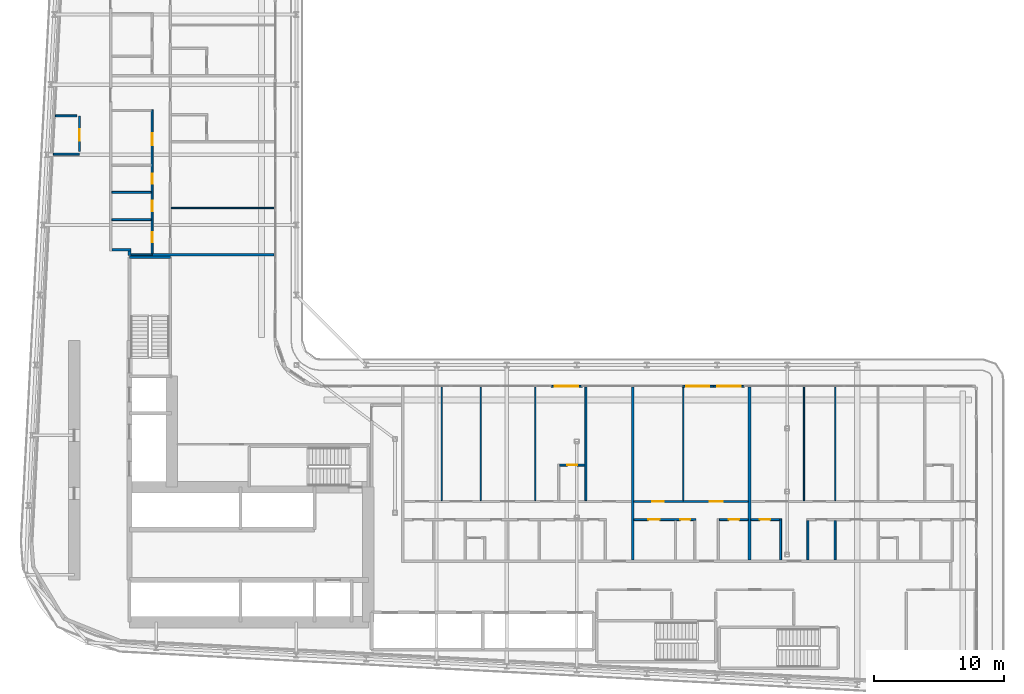
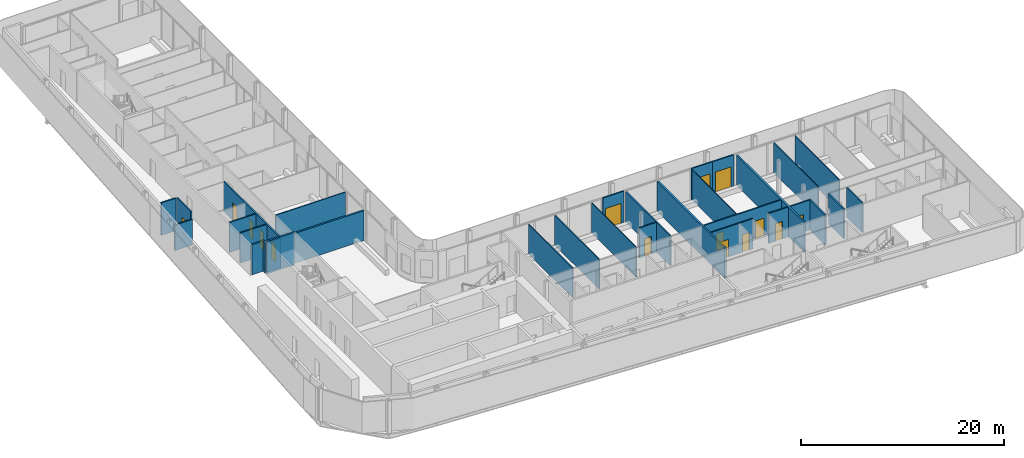
# One storey, part 16 of 28: 32 walls, 15 doors, 15 openings.
"""IFC4 building model written with IfcOpenShell, lengths in metres."""

import ifcopenshell
import ifcopenshell.guid

model = None  # the IFC model being written
_history = None  # IfcOwnerHistory: only IFC2X3 demands one
_inside = {}  # id of a spatial element -> (the spatial element, [elements in it])
_under = {}  # id of a project, library or spatial element -> (it, [spatial elements below it])
_declared = {}  # id of a project -> (the project, [libraries it declares])
_typed = {}  # id of a type object -> (the type object, [elements of that type])
_made_of = {}  # id of a material, layer set ... -> (it, [elements and type objects made of it])


def new_model(schema):
    """Start an empty IFC model of exactly this schema.

    Asked for "IFC4X3", IfcOpenShell would pick the latest addendum, in which some entities
    have other attributes; the version numbers below select the first issue.
    IFC2X3 requires an IfcOwnerHistory on every rooted entity: one is made here for all.
    """
    global model, _history
    if schema == "IFC4X3":
        model = ifcopenshell.file(schema_version=(4, 3, 0, 0))
    else:
        model = ifcopenshell.file(schema=schema)
    _inside.clear()
    _under.clear()
    _declared.clear()
    _typed.clear()
    _made_of.clear()
    _history = None
    if model.schema == "IFC2X3":
        org = make("IfcOrganization", Name="unknown")
        user = make(
            "IfcPersonAndOrganization",
            ThePerson=make("IfcPerson", FamilyName="unknown"),
            TheOrganization=org,
        )
        app = make(
            "IfcApplication",
            ApplicationDeveloper=org,
            Version="unknown",
            ApplicationFullName="unknown",
            ApplicationIdentifier="unknown",
        )
        _history = make(
            "IfcOwnerHistory",
            OwningUser=user,
            OwningApplication=app,
            ChangeAction="ADDED",
            CreationDate=0,
        )
    return model


def make(cls, **values):
    """One entity of the class cls with the attributes given. An attribute that is None is left unset."""
    return model.create_entity(
        cls, **{name: value for name, value in values.items() if value is not None}
    )


def rooted(cls, **values):
    """An entity with a GlobalId (a new one), such as an element, a storey or a relation."""
    return make(cls, GlobalId=ifcopenshell.guid.new(), OwnerHistory=_history, **values)


def si_unit(unit_type, name, prefix=None):
    """IfcSIUnit, for example si_unit("LENGTHUNIT", "METRE", prefix="MILLI")."""
    return make("IfcSIUnit", UnitType=unit_type, Prefix=prefix, Name=name)


def assignment(units):
    """IfcUnitAssignment: the units of a project."""
    return None if units is None else make("IfcUnitAssignment", Units=units)


def point(xyz):
    """IfcCartesianPoint."""
    return None if xyz is None else make("IfcCartesianPoint", Coordinates=xyz)


def direction(xyz):
    """IfcDirection."""
    return None if xyz is None else make("IfcDirection", DirectionRatios=xyz)


def frame(location, z_axis=None, x_axis=None):
    """IfcAxis2Placement3D, a coordinate frame: its origin and axes. An axis left out is left unset."""
    return make(
        "IfcAxis2Placement3D",
        Location=point(location),
        Axis=direction(z_axis),
        RefDirection=direction(x_axis),
    )


def frame_2d(location, x_axis=None):
    """IfcAxis2Placement2D, a coordinate frame in the plane: its origin and x axis."""
    return make(
        "IfcAxis2Placement2D", Location=point(location), RefDirection=direction(x_axis)
    )


def origin():
    """The frame at (0, 0, 0) with its axes left unset."""
    return frame((0.0, 0.0, 0.0))


def place(relative_to, where):
    """IfcLocalPlacement: puts the frame where relative to a parent placement (None: the world)."""
    return make(
        "IfcLocalPlacement", PlacementRelTo=relative_to, RelativePlacement=where
    )


def context(
    kind, dimensions, precision=None, world=None, true_north=None, identifier=None
):
    """IfcGeometricRepresentationContext, for example the 3D "Model" context."""
    return make(
        "IfcGeometricRepresentationContext",
        ContextIdentifier=identifier,
        ContextType=kind,
        CoordinateSpaceDimension=dimensions,
        Precision=precision,
        WorldCoordinateSystem=world,
        TrueNorth=true_north,
    )


def subcontext(parent, identifier, kind, view, scale=None):
    """IfcGeometricRepresentationSubContext, for example "Body" below "Model"."""
    return make(
        "IfcGeometricRepresentationSubContext",
        ContextIdentifier=identifier,
        ContextType=kind,
        ParentContext=parent,
        TargetScale=scale,
        TargetView=view,
    )


def project(units=None, contexts=None):
    """IfcProject with its units and contexts."""
    return rooted(
        "IfcProject",
        Name="project",
        RepresentationContexts=contexts,
        UnitsInContext=assignment(units),
    )


def spatial(cls, under=None, at=None, **own):
    """A site, building, storey or space (cls), placed at a placement, below another one or the project."""
    s = rooted(cls, ObjectPlacement=at, **own)
    if under is not None:
        _under.setdefault(under.id(), (under, []))[1].append(s)
    return s


def profile(cls, at=None, kind="AREA", **sizes):
    """A parametric profile (cls). Its sizes go by their IFC names, for example OverallWidth=200.0."""
    return make(cls, ProfileType=kind, Position=at, **sizes)


def rectangle(**sizes):
    """IfcRectangleProfileDef."""
    return profile("IfcRectangleProfileDef", **sizes)


def extrude(swept, where, along, depth):
    """IfcExtrudedAreaSolid: the profile swept, set in the frame where, extruded along a direction by depth."""
    return make(
        "IfcExtrudedAreaSolid",
        SweptArea=swept,
        Position=where,
        ExtrudedDirection=direction(along),
        Depth=depth,
    )


def shape(context_of_items, identifier, shape_type, items):
    """IfcShapeRepresentation: the items that make up one representation, for example the "Body"."""
    return make(
        "IfcShapeRepresentation",
        ContextOfItems=context_of_items,
        RepresentationIdentifier=identifier,
        RepresentationType=shape_type,
        Items=items,
    )


def source(mapping_origin, context_of_items, identifier, shape_type, items):
    """IfcRepresentationMap: a shape defined once, which mapped items show again and again."""
    return make(
        "IfcRepresentationMap",
        MappingOrigin=mapping_origin,
        MappedRepresentation=shape(context_of_items, identifier, shape_type, items),
    )


def transform(
    local_origin,
    x_axis=None,
    y_axis=None,
    z_axis=None,
    scale=None,
    scale2=None,
    scale3=None,
    uniform=True,
):
    """IfcCartesianTransformationOperator3D, or its non-uniform kind. x_axis, y_axis, z_axis: its Axis1, 2, 3."""
    if uniform:
        return make(
            "IfcCartesianTransformationOperator3D",
            Axis1=direction(x_axis),
            Axis2=direction(y_axis),
            LocalOrigin=point(local_origin),
            Scale=scale,
            Axis3=direction(z_axis),
        )
    return make(
        "IfcCartesianTransformationOperator3DnonUniform",
        Axis1=direction(x_axis),
        Axis2=direction(y_axis),
        LocalOrigin=point(local_origin),
        Scale=scale,
        Axis3=direction(z_axis),
        Scale2=scale2,
        Scale3=scale3,
    )


def mapped(mapping_source, mapping_target):
    """IfcMappedItem: shows the shape of a source again, moved by a transform."""
    return make(
        "IfcMappedItem", MappingSource=mapping_source, MappingTarget=mapping_target
    )


def material(Name=None, Category=None):
    """IfcMaterial."""
    return make("IfcMaterial", Name=Name, Category=Category)


def layer(
    of_material, thickness, ventilated=None, Name=None, Category=None, Priority=None
):
    """IfcMaterialLayer: one layer of a wall or slab, of a material (None: an air gap)."""
    return make(
        "IfcMaterialLayer",
        Material=of_material,
        LayerThickness=thickness,
        IsVentilated=ventilated,
        Name=Name,
        Category=Category,
        Priority=Priority,
    )


def layer_set(layers, Name=None):
    """IfcMaterialLayerSet."""
    return make("IfcMaterialLayerSet", MaterialLayers=layers, LayerSetName=Name)


def made_of(thing, what):
    """Note that an element or type object is made of a material, layer set ...; save() writes the relation."""
    if what is not None:
        _made_of.setdefault(what.id(), (what, []))[1].append(thing)
    return thing


def type_object(cls, material=None, **own):
    """A type object (cls), such as IfcWallType, which elements share."""
    return made_of(rooted(cls, **own), material)


def element(
    cls,
    number,
    at=None,
    inside=None,
    cuts=None,
    type_object=None,
    material=None,
    context=None,
    identifier="Body",
    shape_type=None,
    held_by="IfcProductDefinitionShape",
    body=None,
    shapes=None,
    **own,
):
    """One element of the class cls, such as IfcWall. Its Tag is "e" and its number.

    at: its placement. inside: the storey or other place that contains it. cuts: it is an
    opening in that element (IfcRelVoidsElement). A single representation is given by context,
    identifier, shape_type and body (its items); several are given by shapes. held_by: the class
    of the entity that holds the representations. save() writes the other relations.
    """
    e = rooted(cls, Tag="e%d" % number, ObjectPlacement=at, **own)
    if body is not None:
        shapes = [shape(context, identifier, shape_type, body)]
    if shapes is not None:
        e.Representation = make(held_by, Representations=shapes)
    if inside is not None:
        _inside.setdefault(inside.id(), (inside, []))[1].append(e)
    if cuts is not None:
        rooted(
            "IfcRelVoidsElement", RelatingBuildingElement=cuts, RelatedOpeningElement=e
        )
    if type_object is not None:
        _typed.setdefault(type_object.id(), (type_object, []))[1].append(e)
    return made_of(e, material)


def fill(opening, filler):
    """IfcRelFillsElement: the door or window that sits in an opening."""
    return rooted(
        "IfcRelFillsElement",
        RelatingOpeningElement=opening,
        RelatedBuildingElement=filler,
    )


def aggregate(whole, parts):
    """IfcRelAggregates: a whole, such as a stair, and the parts it consists of."""
    return rooted("IfcRelAggregates", RelatingObject=whole, RelatedObjects=parts)


def save(model, path):
    """Write the relations noted so far, then the file.

    IfcRelAggregates (storeys below a building ...), IfcRelContainedInSpatialStructure (elements
    in a storey), IfcRelDefinesByType, IfcRelAssociatesMaterial and IfcRelDeclares: one each for
    every whole, place, type object, material and project.
    """
    for whole, parts in _under.values():
        aggregate(whole, parts)
    for where, things in _inside.values():
        rooted(
            "IfcRelContainedInSpatialStructure",
            RelatedElements=things,
            RelatingStructure=where,
        )
    for kind, things in _typed.values():
        rooted("IfcRelDefinesByType", RelatedObjects=things, RelatingType=kind)
    for what, things in _made_of.values():
        rooted("IfcRelAssociatesMaterial", RelatedObjects=things, RelatingMaterial=what)
    for by, libraries in _declared.values():
        rooted("IfcRelDeclares", RelatingContext=by, RelatedDefinitions=libraries)
    model.write(path)


model = new_model("IFC4")

# Units and contexts
model_context = context("Model", 3, precision=1e-05, world=origin(), true_north=direction((0.0, 1.0)))
body_context = subcontext(model_context, "Body", "Model", "MODEL_VIEW")
ifc_project = project(units=[si_unit("LENGTHUNIT", "METRE"), si_unit("AREAUNIT", "SQUARE_METRE"), si_unit("VOLUMEUNIT", "CUBIC_METRE"), si_unit("PLANEANGLEUNIT", "RADIAN"), si_unit("MASSUNIT", "GRAM", prefix="KILO")], contexts=[model_context])

# Site, building, storey
site_placement = place(None, origin())
site = spatial("IfcSite", under=ifc_project, at=site_placement, CompositionType="ELEMENT")
building_placement = place(site_placement, origin())
building = spatial("IfcBuilding", under=site, at=building_placement, Name="Kheshtan School and Residences Tower", CompositionType="ELEMENT")
storey_placement = place(building_placement, frame((0.0, 0.0, 140.89990234375)))
storey = spatial("IfcBuildingStorey", under=building, at=storey_placement, Name="L33", CompositionType="ELEMENT", Elevation=140.89990234375)

# Walls
ifc_material_1 = material(Name="Gypsum board on steel studs with fire boards", Category="steel")
ifc_layer_1 = layer(ifc_material_1, 0.199951171875)
ifc_layer_set_1 = layer_set([ifc_layer_1], Name="Corridor wall 200")
wall_type_1 = type_object("IfcWallType", Name="Corridor wall 200", PredefinedType="PARTITIONING", material=ifc_layer_set_1)
wall_1_placement = place(storey_placement, frame((33.39990234375, 54.5, 0.0), z_axis=(0.0, 0.0, 1.0), x_axis=(1.0, 0.0, 0.0)))
element("IfcWall", 1, at=wall_1_placement, inside=storey, type_object=wall_type_1, Name="Partition L33-005", PredefinedType="PARTITIONING", context=body_context, shape_type="SweptSolid", body=[
    extrude(rectangle(XDim=1.4501953125, YDim=0.199951171875, at=frame_2d((0.72509765625, 0.0))), origin(), (0.0, 0.0, 1.0), 3.60009765625),
])
wall_2_placement = place(storey_placement, frame((34.75, 54.02490234375, 0.0), z_axis=(0.0, 0.0, 1.0), x_axis=(0.0, 1.0, 0.0)))
element("IfcWall", 2, at=wall_2_placement, inside=storey, type_object=wall_type_1, Name="Partition L33-018", PredefinedType="PARTITIONING", context=body_context, shape_type="SweptSolid", body=[
    extrude(rectangle(XDim=0.375, YDim=0.199951171875, at=frame_2d((0.1875, 0.0))), origin(), (0.0, 0.0, 1.0), 3.60009765625),
])

# Wall, opening, door
ifc_material_2 = material(Name="Aluminium frame wall with insulated infill", Category="aluminium")
ifc_layer_2 = layer(ifc_material_2, 0.14990234375)
ifc_layer_set_2 = layer_set([ifc_layer_2], Name="Glazing frame wall 150")
wall_type_2 = type_object("IfcWallType", Name="Glazing frame wall 150", PredefinedType="SOLIDWALL", material=ifc_layer_set_2)
wall_3_placement = place(storey_placement, frame((67.218017578125, 43.97509765625, 0.0), z_axis=(0.0, 0.0, 1.0), x_axis=(1.0, 0.0, 0.0)))
wall_3 = element("IfcWall", 3, at=wall_3_placement, inside=storey, type_object=wall_type_2, Name="Balcony door wall L33 12.2", PredefinedType="SOLIDWALL", context=body_context, shape_type="SweptSolid", body=[
    extrude(rectangle(XDim=2.39990234375, YDim=0.14990234375, at=frame_2d((1.199951171875, 0.0))), origin(), (0.0, 0.0, 1.0), 3.75),
])
opening_1_placement = place(wall_3_placement, frame((0.300048828125, 0.0, 0.0)))
opening_1 = element("IfcOpeningElement", 4, at=opening_1_placement, cuts=wall_3, Name="Opening BD", PredefinedType="OPENING", context=body_context, shape_type="SweptSolid", body=[
    extrude(rectangle(XDim=1.800048828125, YDim=2.39990234375, at=frame_2d((0.89990234375, 1.199951171875))), frame((0.0, 0.0849609375, 0.0), z_axis=(0.0, -1.0, 0.0), x_axis=(1.0, 0.0, 0.0)), (0.0, 0.0, 1.0), 0.169921875),
])
ifc_material_3 = material(Name="Clear low-e glass in thermally broken aluminium frame", Category="aluminium")
door_type_1 = type_object("IfcDoorType", Name="Balcony sliding door", OperationType="SLIDING_TO_LEFT", PredefinedType="DOOR", material=ifc_material_3)
shared_shape_1 = source(origin(), body_context, "Body", "SweptSolid", [
    extrude(rectangle(XDim=1.800048828125, YDim=2.39990234375, at=frame_2d((0.89990234375, 1.199951171875))), frame((0.0, 0.02490234375, 0.0), z_axis=(0.0, -1.0, 0.0), x_axis=(1.0, 0.0, 0.0)), (0.0, 0.0, 1.0), 0.050048828125),
])
door_1_placement = place(opening_1_placement, origin())
door_1 = element("IfcDoor", 5, at=door_1_placement, inside=storey, type_object=door_type_1, Name="Balcony door L33 12.2", OperationType="SLIDING_TO_LEFT", OverallHeight=2.39990234375, OverallWidth=1.800048828125, PredefinedType="DOOR", context=body_context, shape_type="MappedRepresentation", body=[
    mapped(shared_shape_1, transform((0.0, 0.0, 0.0), x_axis=(1.0, 0.0, 0.0), y_axis=(0.0, 1.0, 0.0), z_axis=(0.0, 0.0, 1.0), scale=1.0)),
])
fill(opening_1, door_1)

wall_4_placement = place(storey_placement, frame((77.31201171875, 43.97509765625, 0.0), z_axis=(0.0, 0.0, 1.0), x_axis=(1.0, 0.0, 0.0)))
wall_4 = element("IfcWall", 6, at=wall_4_placement, inside=storey, type_object=wall_type_2, Name="Balcony door wall L33 12.3", PredefinedType="SOLIDWALL", context=body_context, shape_type="SweptSolid", body=[
    extrude(rectangle(XDim=2.39990234375, YDim=0.14990234375, at=frame_2d((1.199951171875, 0.0))), origin(), (0.0, 0.0, 1.0), 3.75),
])
opening_2_placement = place(wall_4_placement, frame((0.300048828125, 0.0, 0.0)))
opening_2 = element("IfcOpeningElement", 7, at=opening_2_placement, cuts=wall_4, Name="Opening BD", PredefinedType="OPENING", context=body_context, shape_type="SweptSolid", body=[
    extrude(rectangle(XDim=1.800048828125, YDim=2.39990234375, at=frame_2d((0.89990234375, 1.199951171875))), frame((0.0, 0.0849609375, 0.0), z_axis=(0.0, -1.0, 0.0), x_axis=(1.0, 0.0, 0.0)), (0.0, 0.0, 1.0), 0.169921875),
])
door_2_placement = place(opening_2_placement, origin())
door_2 = element("IfcDoor", 8, at=door_2_placement, inside=storey, type_object=door_type_1, Name="Balcony door L33 12.3", OperationType="SLIDING_TO_LEFT", OverallHeight=2.39990234375, OverallWidth=1.800048828125, PredefinedType="DOOR", context=body_context, shape_type="MappedRepresentation", body=[
    mapped(shared_shape_1, transform((0.0, 0.0, 0.0), x_axis=(1.0, 0.0, 0.0), y_axis=(0.0, 1.0, 0.0), z_axis=(0.0, 0.0, 1.0), scale=1.0)),
])
fill(opening_2, door_2)

wall_5_placement = place(storey_placement, frame((79.7119140625, 43.97509765625, 0.0), z_axis=(0.0, 0.0, 1.0), x_axis=(1.0, 0.0, 0.0)))
wall_5 = element("IfcWall", 9, at=wall_5_placement, inside=storey, type_object=wall_type_2, Name="Balcony door wall L33 12.4", PredefinedType="SOLIDWALL", context=body_context, shape_type="SweptSolid", body=[
    extrude(rectangle(XDim=2.400146484375, YDim=0.14990234375, at=frame_2d((1.2001953125, 0.0))), origin(), (0.0, 0.0, 1.0), 3.75),
])
opening_3_placement = place(wall_5_placement, frame((0.300048828125, 0.0, 0.0)))
opening_3 = element("IfcOpeningElement", 10, at=opening_3_placement, cuts=wall_5, Name="Opening BD", PredefinedType="OPENING", context=body_context, shape_type="SweptSolid", body=[
    extrude(rectangle(XDim=1.800048828125, YDim=2.39990234375, at=frame_2d((0.89990234375, 1.199951171875))), frame((0.0, 0.0849609375, 0.0), z_axis=(0.0, -1.0, 0.0), x_axis=(1.0, 0.0, 0.0)), (0.0, 0.0, 1.0), 0.169921875),
])
door_3_placement = place(opening_3_placement, origin())
door_3 = element("IfcDoor", 11, at=door_3_placement, inside=storey, type_object=door_type_1, Name="Balcony door L33 12.4", OperationType="SLIDING_TO_LEFT", OverallHeight=2.39990234375, OverallWidth=1.800048828125, PredefinedType="DOOR", context=body_context, shape_type="MappedRepresentation", body=[
    mapped(shared_shape_1, transform((0.0, 0.0, 0.0), x_axis=(1.0, 0.0, 0.0), y_axis=(0.0, 1.0, 0.0), z_axis=(0.0, 0.0, 1.0), scale=1.0)),
])
fill(opening_3, door_3)

# Walls
ifc_material_4 = material(Name="Gypsum board on steel studs", Category="steel")
ifc_layer_3 = layer(ifc_material_4, 0.10009765625)
ifc_layer_set_3 = layer_set([ifc_layer_3], Name="Gypsum partition 100")
wall_type_3 = type_object("IfcWallType", Name="Gypsum partition 100", PredefinedType="PARTITIONING", material=ifc_layer_set_3)
wall_6_placement = place(storey_placement, frame((37.97509765625, 57.699951171875, 0.0), z_axis=(0.0, 0.0, 1.0), x_axis=(1.0, 0.0, 0.0)))
element("IfcWall", 12, at=wall_6_placement, inside=storey, type_object=wall_type_3, Name="Partition L33-034", PredefinedType="PARTITIONING", context=body_context, shape_type="SweptSolid", body=[
    extrude(rectangle(XDim=7.9248046875, YDim=0.10009765625, at=frame_2d((3.96240234375, 0.0))), origin(), (0.0, 0.0, 1.0), 3.60009765625),
])
for number, where, z_axis, x_axis, name in (
    (13, (58.800048828125, 35.175048828125, 0.0), (0.0, 0.0, 1.0), (0.0, 1.0, 0.0), "Partition L33-050"),
    (14, (61.800048828125, 35.175048828125, 0.0), (0.0, 0.0, 1.0), (0.0, 1.0, 0.0), "Partition L33-053"),
    (15, (66.0, 35.175048828125, 0.0), (0.0, 0.0, 1.0), (0.0, 1.0, 0.0), "Partition L33-056"),
    (16, (77.39990234375, 35.175048828125, 0.0), (0.0, 0.0, 1.0), (0.0, 1.0, 0.0), "Partition L33-067"),
    (17, (86.699951171875, 35.175048828125, 0.0), (0.0, 0.0, 1.0), (0.0, 1.0, 0.0), "Partition L33-075"),
    (18, (89.10009765625, 35.175048828125, 0.0), (0.0, 0.0, 1.0), (0.0, 1.0, 0.0), "Partition L33-079"),
):
    element("IfcWall", number, at=place(storey_placement, frame(where, z_axis=z_axis, x_axis=x_axis)), inside=storey, type_object=wall_type_3, Name=name, PredefinedType="PARTITIONING", context=body_context, shape_type="SweptSolid", body=[
        extrude(rectangle(XDim=8.724853515625, YDim=0.10009765625, at=frame_2d((4.3623046875, 0.0))), origin(), (0.0, 0.0, 1.0), 3.60009765625),
    ])
ifc_material_5 = material(Name="Fire-board shaft wall system")
ifc_layer_4 = layer(ifc_material_5, 0.14990234375)
ifc_layer_set_4 = layer_set([ifc_layer_4], Name="Service room wall 150")
wall_type_4 = type_object("IfcWallType", Name="Service room wall 150", PredefinedType="PARTITIONING", material=ifc_layer_set_4)
wall_7_placement = place(storey_placement, frame((28.89501953125, 61.85107421875, 0.0), z_axis=(0.0, 0.0, 1.0), x_axis=(1.0, 0.0, 0.0)))
element("IfcWall", 19, at=wall_7_placement, inside=storey, type_object=wall_type_4, Name="Service room wall", PredefinedType="PARTITIONING", context=body_context, shape_type="SweptSolid", body=[
    extrude(rectangle(XDim=2.0048828125, YDim=0.14990234375, at=frame_2d((1.00244140625, 0.0))), origin(), (0.0, 0.0, 1.0), 3.072021484375),
])

# Wall, opening, door
wall_8_placement = place(storey_placement, frame((30.89990234375, 62.0458984375, 0.0), z_axis=(0.0, 0.0, 1.0), x_axis=(0.0, 1.0, 0.0)))
wall_8 = element("IfcWall", 20, at=wall_8_placement, inside=storey, type_object=wall_type_4, Name="Service room wall", PredefinedType="PARTITIONING", context=body_context, shape_type="SweptSolid", body=[
    extrude(rectangle(XDim=2.754150390625, YDim=0.14990234375, at=frame_2d((1.376953125, 0.0))), origin(), (0.0, 0.0, 1.0), 3.900146484375),
])
opening_4_placement = place(wall_8_placement, frame((0.830078125, 0.0, 0.0)))
opening_4 = element("IfcOpeningElement", 21, at=opening_4_placement, cuts=wall_8, Name="Opening SR90", PredefinedType="OPENING", context=body_context, shape_type="SweptSolid", body=[
    extrude(rectangle(XDim=0.89990234375, YDim=2.199951171875, at=frame_2d((0.449951171875, 1.10009765625))), frame((0.0, 0.0849609375, 0.0), z_axis=(0.0, -1.0, 0.0), x_axis=(1.0, 0.0, 0.0)), (0.0, 0.0, 1.0), 0.169921875),
])
ifc_material_6 = material(Name="Steel door leaf, galvanised", Category="steel")
door_type_2 = type_object("IfcDoorType", Name="Service room door 900 steel 90 min", OperationType="SINGLE_SWING_LEFT", PredefinedType="DOOR", material=ifc_material_6)
shared_shape_2 = source(origin(), body_context, "Body", "SweptSolid", [
    extrude(rectangle(XDim=0.89990234375, YDim=2.199951171875, at=frame_2d((0.449951171875, 1.10009765625))), frame((0.0, 0.02490234375, 0.0), z_axis=(0.0, -1.0, 0.0), x_axis=(1.0, 0.0, 0.0)), (0.0, 0.0, 1.0), 0.050048828125),
])
door_4_placement = place(opening_4_placement, origin())
door_4 = element("IfcDoor", 22, at=door_4_placement, inside=storey, type_object=door_type_2, Name="Service room door", OperationType="SINGLE_SWING_LEFT", OverallHeight=2.199951171875, OverallWidth=0.89990234375, PredefinedType="DOOR", context=body_context, shape_type="MappedRepresentation", body=[
    mapped(shared_shape_2, transform((0.0, 0.0, 0.0), x_axis=(1.0, 0.0, 0.0), y_axis=(0.0, 1.0, 0.0), z_axis=(0.0, 0.0, 1.0), scale=1.0)),
])
fill(opening_4, door_4)

# Walls
wall_9_placement = place(storey_placement, frame((29.050048828125, 64.800048828125, 0.0), z_axis=(0.0, 0.0, 1.0), x_axis=(1.0, 0.0, 0.0)))
element("IfcWall", 23, at=wall_9_placement, inside=storey, type_object=wall_type_4, Name="Service room wall", PredefinedType="PARTITIONING", context=body_context, shape_type="SweptSolid", body=[
    extrude(rectangle(XDim=1.655029296875, YDim=0.14990234375, at=frame_2d((0.82763671875, 0.0))), origin(), (0.0, 0.0, 1.0), 3.900146484375),
])
ifc_material_7 = material(Name="Concrete C40/50", Category="concrete")
ifc_layer_5 = layer(ifc_material_7, 0.199951171875)
ifc_layer_set_5 = layer_set([ifc_layer_5], Name="Stair enclosure wall 200 Concrete C40/50")
wall_type_5 = type_object("IfcWallType", Name="Stair enclosure wall 200 Concrete C40/50", PredefinedType="SHEAR", material=ifc_layer_set_5)
wall_10_placement = place(storey_placement, frame((34.75, 53.909912109375, 0.0), z_axis=(0.0, 0.0, 1.0), x_axis=(1.0, 0.0, 0.0)))
element("IfcWall", 24, at=wall_10_placement, inside=storey, type_object=wall_type_5, Name="Stair enclosure wall ST2", PredefinedType="SHEAR", context=body_context, shape_type="SweptSolid", body=[
    extrude(rectangle(XDim=3.14990234375, YDim=0.199951171875, at=frame_2d((1.574951171875, 0.0))), origin(), (0.0, 0.0, 1.0), 3.900146484375),
])
ifc_material_8 = material(Name="Twin gypsum board on steel studs with mineral wool", Category="steel")
ifc_layer_6 = layer(ifc_material_8, 0.199951171875)
ifc_layer_set_6 = layer_set([ifc_layer_6], Name="Unit demising wall 200")
wall_type_6 = type_object("IfcWallType", Name="Unit demising wall 200", PredefinedType="PARTITIONING", material=ifc_layer_set_6)
wall_11_placement = place(storey_placement, frame((36.5, 54.10009765625, 0.0), z_axis=(0.0, 0.0, 1.0), x_axis=(1.0, 0.0, 0.0)))
element("IfcWall", 25, at=wall_11_placement, inside=storey, type_object=wall_type_6, Name="Partition L33-021", PredefinedType="PARTITIONING", context=body_context, shape_type="SweptSolid", body=[
    extrude(rectangle(XDim=9.39990234375, YDim=0.199951171875, at=frame_2d((4.699951171875, 0.0))), origin(), (0.0, 0.0, 1.0), 3.60009765625),
])
for number, where, z_axis, x_axis, name in (
    (26, (73.5, 30.60009765625, 0.0), (0.0, 0.0, 1.0), (0.0, 1.0, 0.0), "Partition L33-063"),
    (27, (82.5, 30.60009765625, 0.0), (0.0, 0.0, 1.0), (0.0, 1.0, 0.0), "Partition L33-071"),
):
    element("IfcWall", number, at=place(storey_placement, frame(where, z_axis=z_axis, x_axis=x_axis)), inside=storey, type_object=wall_type_6, Name=name, PredefinedType="PARTITIONING", context=body_context, shape_type="SweptSolid", body=[
        extrude(rectangle(XDim=13.2998046875, YDim=0.199951171875, at=frame_2d((6.64990234375, 0.0))), origin(), (0.0, 0.0, 1.0), 3.60009765625),
    ])
ifc_material_9 = material(Name="Moisture-resistant gypsum board on steel studs", Category="steel")
ifc_layer_7 = layer(ifc_material_9, 0.14990234375)
ifc_layer_set_7 = layer_set([ifc_layer_7], Name="Wet-room partition 150")
wall_type_7 = type_object("IfcWallType", Name="Wet-room partition 150", PredefinedType="PARTITIONING", material=ifc_layer_set_7)
for number, where, z_axis, x_axis, name in (
    (28, (33.39990234375, 56.800048828125, 0.0), (0.0, 0.0, 1.0), (1.0, 0.0, 0.0), "Partition L33-006"),
    (29, (33.39990234375, 58.89990234375, 0.0), (0.0, 0.0, 1.0), (1.0, 0.0, 0.0), "Partition L33-007"),
):
    element("IfcWall", number, at=place(storey_placement, frame(where, z_axis=z_axis, x_axis=x_axis)), inside=storey, type_object=wall_type_7, Name=name, PredefinedType="PARTITIONING", context=body_context, shape_type="SweptSolid", body=[
        extrude(rectangle(XDim=3.025146484375, YDim=0.14990234375, at=frame_2d((1.5126953125, 0.0))), origin(), (0.0, 0.0, 1.0), 3.60009765625),
    ])
wall_12_placement = place(storey_placement, frame((34.85009765625, 54.10009765625, 0.0), z_axis=(0.0, 0.0, 1.0), x_axis=(1.0, 0.0, 0.0)))
element("IfcWall", 30, at=wall_12_placement, inside=storey, type_object=wall_type_7, Name="Partition L33-019", PredefinedType="PARTITIONING", context=body_context, shape_type="SweptSolid", body=[
    extrude(rectangle(XDim=1.64990234375, YDim=0.14990234375, at=frame_2d((0.824951171875, 0.0))), origin(), (0.0, 0.0, 1.0), 3.60009765625),
])

# Wall, openings, doors
wall_13_placement = place(storey_placement, frame((36.5, 54.199951171875, 0.0), z_axis=(0.0, 0.0, 1.0), x_axis=(0.0, 1.0, 0.0)))
wall_13 = element("IfcWall", 31, at=wall_13_placement, inside=storey, type_object=wall_type_7, Name="Partition L33-022", PredefinedType="PARTITIONING", context=body_context, shape_type="SweptSolid", body=[
    extrude(rectangle(XDim=11.050048828125, YDim=0.14990234375, at=frame_2d((5.52490234375, 0.0))), origin(), (0.0, 0.0, 1.0), 3.60009765625),
])
opening_5_placement = place(wall_13_placement, frame((0.85009765625, 0.0, 0.0)))
opening_5 = element("IfcOpeningElement", 32, at=opening_5_placement, cuts=wall_13, Name="Opening D32-035", PredefinedType="OPENING", context=body_context, shape_type="SweptSolid", body=[
    extrude(rectangle(XDim=0.800048828125, YDim=2.10009765625, at=frame_2d((0.39990234375, 1.050048828125))), frame((0.0, 0.0849609375, 0.0), z_axis=(0.0, -1.0, 0.0), x_axis=(1.0, 0.0, 0.0)), (0.0, 0.0, 1.0), 0.169921875),
])
opening_6_placement = place(wall_13_placement, frame((8.35009765625, 0.0, 0.0)))
opening_6 = element("IfcOpeningElement", 33, at=opening_6_placement, cuts=wall_13, Name="Opening D32-039", PredefinedType="OPENING", context=body_context, shape_type="SweptSolid", body=[
    extrude(rectangle(XDim=0.89990234375, YDim=2.10009765625, at=frame_2d((0.449951171875, 1.050048828125))), frame((0.0, 0.0849609375, 0.0), z_axis=(0.0, -1.0, 0.0), x_axis=(1.0, 0.0, 0.0)), (0.0, 0.0, 1.0), 0.169921875),
])
opening_7_placement = place(wall_13_placement, frame((3.25, 0.0, 0.0)))
opening_7 = element("IfcOpeningElement", 34, at=opening_7_placement, cuts=wall_13, Name="Opening D32-042", PredefinedType="OPENING", context=body_context, shape_type="SweptSolid", body=[
    extrude(rectangle(XDim=0.800048828125, YDim=2.10009765625, at=frame_2d((0.39990234375, 1.050048828125))), frame((0.0, 0.0849609375, 0.0), z_axis=(0.0, -1.0, 0.0), x_axis=(1.0, 0.0, 0.0)), (0.0, 0.0, 1.0), 0.169921875),
])
opening_8_placement = place(wall_13_placement, frame((5.35009765625, 0.0, 0.0)))
opening_8 = element("IfcOpeningElement", 35, at=opening_8_placement, cuts=wall_13, Name="Opening D32-043", PredefinedType="OPENING", context=body_context, shape_type="SweptSolid", body=[
    extrude(rectangle(XDim=0.800048828125, YDim=2.10009765625, at=frame_2d((0.39990234375, 1.050048828125))), frame((0.0, 0.0849609375, 0.0), z_axis=(0.0, -1.0, 0.0), x_axis=(1.0, 0.0, 0.0)), (0.0, 0.0, 1.0), 0.169921875),
])
ifc_material_10 = material(Name="Veneered timber door leaf", Category="wood")
door_type_3 = type_object("IfcDoorType", Name="Door 800 x 2100", OperationType="SINGLE_SWING_LEFT", PredefinedType="DOOR", material=ifc_material_10)
shared_shape_3 = source(origin(), body_context, "Body", "SweptSolid", [
    extrude(rectangle(XDim=0.800048828125, YDim=2.10009765625, at=frame_2d((0.39990234375, 1.050048828125))), frame((0.0, 0.02490234375, 0.0), z_axis=(0.0, -1.0, 0.0), x_axis=(1.0, 0.0, 0.0)), (0.0, 0.0, 1.0), 0.050048828125),
])
door_5_placement = place(opening_5_placement, origin())
door_5 = element("IfcDoor", 36, at=door_5_placement, inside=storey, type_object=door_type_3, Name="Door D32-035", OperationType="SINGLE_SWING_RIGHT", OverallHeight=2.10009765625, OverallWidth=0.800048828125, PredefinedType="DOOR", context=body_context, shape_type="MappedRepresentation", body=[
    mapped(shared_shape_3, transform((0.0, 0.0, 0.0), x_axis=(1.0, 0.0, 0.0), y_axis=(0.0, 1.0, 0.0), z_axis=(0.0, 0.0, 1.0), scale=1.0)),
])
fill(opening_5, door_5)
door_6_placement = place(opening_7_placement, origin())
door_6 = element("IfcDoor", 37, at=door_6_placement, inside=storey, type_object=door_type_3, Name="Door D32-042", OperationType="SINGLE_SWING_RIGHT", OverallHeight=2.10009765625, OverallWidth=0.800048828125, PredefinedType="DOOR", context=body_context, shape_type="MappedRepresentation", body=[
    mapped(shared_shape_3, transform((0.0, 0.0, 0.0), x_axis=(1.0, 0.0, 0.0), y_axis=(0.0, 1.0, 0.0), z_axis=(0.0, 0.0, 1.0), scale=1.0)),
])
fill(opening_7, door_6)
door_7_placement = place(opening_8_placement, origin())
door_7 = element("IfcDoor", 38, at=door_7_placement, inside=storey, type_object=door_type_3, Name="Door D32-043", OperationType="SINGLE_SWING_RIGHT", OverallHeight=2.10009765625, OverallWidth=0.800048828125, PredefinedType="DOOR", context=body_context, shape_type="MappedRepresentation", body=[
    mapped(shared_shape_3, transform((0.0, 0.0, 0.0), x_axis=(1.0, 0.0, 0.0), y_axis=(0.0, 1.0, 0.0), z_axis=(0.0, 0.0, 1.0), scale=1.0)),
])
fill(opening_8, door_7)
door_type_4 = type_object("IfcDoorType", Name="Door 900 x 2100", OperationType="SINGLE_SWING_LEFT", PredefinedType="DOOR", material=ifc_material_10)
shared_shape_4 = source(origin(), body_context, "Body", "SweptSolid", [
    extrude(rectangle(XDim=0.89990234375, YDim=2.10009765625, at=frame_2d((0.449951171875, 1.050048828125))), frame((0.0, 0.02490234375, 0.0), z_axis=(0.0, -1.0, 0.0), x_axis=(1.0, 0.0, 0.0)), (0.0, 0.0, 1.0), 0.050048828125),
])
door_8_placement = place(opening_6_placement, origin())
door_8 = element("IfcDoor", 39, at=door_8_placement, inside=storey, type_object=door_type_4, Name="Door D32-039", OperationType="SINGLE_SWING_RIGHT", OverallHeight=2.10009765625, OverallWidth=0.89990234375, PredefinedType="DOOR", context=body_context, shape_type="MappedRepresentation", body=[
    mapped(shared_shape_4, transform((0.0, 0.0, 0.0), x_axis=(1.0, 0.0, 0.0), y_axis=(0.0, 1.0, 0.0), z_axis=(0.0, 0.0, 1.0), scale=1.0)),
])
fill(opening_6, door_8)

# Wall, opening, door
wall_14_placement = place(storey_placement, frame((67.875, 37.89990234375, 0.0), z_axis=(0.0, 0.0, 1.0), x_axis=(1.0, 0.0, 0.0)))
wall_14 = element("IfcWall", 40, at=wall_14_placement, inside=storey, type_object=wall_type_7, Name="Partition L33-059", PredefinedType="PARTITIONING", context=body_context, shape_type="SweptSolid", body=[
    extrude(rectangle(XDim=1.949951171875, YDim=0.14990234375, at=frame_2d((0.97509765625, 0.0))), origin(), (0.0, 0.0, 1.0), 3.60009765625),
])
opening_9_placement = place(wall_14_placement, frame((0.574951171875, 0.0, 0.0)))
opening_9 = element("IfcOpeningElement", 41, at=opening_9_placement, cuts=wall_14, Name="Opening D32-006", PredefinedType="OPENING", context=body_context, shape_type="SweptSolid", body=[
    extrude(rectangle(XDim=0.800048828125, YDim=2.10009765625, at=frame_2d((0.39990234375, 1.050048828125))), frame((0.0, 0.0849609375, 0.0), z_axis=(0.0, -1.0, 0.0), x_axis=(1.0, 0.0, 0.0)), (0.0, 0.0, 1.0), 0.169921875),
])
door_9_placement = place(opening_9_placement, origin())
door_9 = element("IfcDoor", 42, at=door_9_placement, inside=storey, type_object=door_type_3, Name="Door D32-006", OperationType="SINGLE_SWING_LEFT", OverallHeight=2.10009765625, OverallWidth=0.800048828125, PredefinedType="DOOR", context=body_context, shape_type="MappedRepresentation", body=[
    mapped(shared_shape_3, transform((0.0, 0.0, 0.0), x_axis=(1.0, 0.0, 0.0), y_axis=(0.0, 1.0, 0.0), z_axis=(0.0, 0.0, 1.0), scale=1.0)),
])
fill(opening_9, door_9)

# Wall
wall_15_placement = place(storey_placement, frame((69.89990234375, 35.175048828125, 0.0), z_axis=(0.0, 0.0, 1.0), x_axis=(0.0, 1.0, 0.0)))
element("IfcWall", 43, at=wall_15_placement, inside=storey, type_object=wall_type_7, Name="Partition L33-061", PredefinedType="PARTITIONING", context=body_context, shape_type="SweptSolid", body=[
    extrude(rectangle(XDim=8.724853515625, YDim=0.14990234375, at=frame_2d((4.3623046875, 0.0))), origin(), (0.0, 0.0, 1.0), 3.60009765625),
])

# Wall, openings, doors
wall_16_placement = place(storey_placement, frame((73.60009765625, 33.699951171875, 0.0), z_axis=(0.0, 0.0, 1.0), x_axis=(1.0, 0.0, 0.0)))
wall_16 = element("IfcWall", 44, at=wall_16_placement, inside=storey, type_object=wall_type_7, Name="Partition L33-064", PredefinedType="PARTITIONING", context=body_context, shape_type="SweptSolid", body=[
    extrude(rectangle(XDim=4.77490234375, YDim=0.14990234375, at=frame_2d((2.387451171875, 0.0))), origin(), (0.0, 0.0, 1.0), 3.60009765625),
])
opening_10_placement = place(wall_16_placement, frame((1.10009765625, 0.0, 0.0)))
opening_10 = element("IfcOpeningElement", 45, at=opening_10_placement, cuts=wall_16, Name="Opening D32-018", PredefinedType="OPENING", context=body_context, shape_type="SweptSolid", body=[
    extrude(rectangle(XDim=0.89990234375, YDim=2.10009765625, at=frame_2d((0.449951171875, 1.050048828125))), frame((0.0, 0.0849609375, 0.0), z_axis=(0.0, -1.0, 0.0), x_axis=(1.0, 0.0, 0.0)), (0.0, 0.0, 1.0), 0.169921875),
])
opening_11_placement = place(wall_16_placement, frame((3.550048828125, 0.0, 0.0)))
opening_11 = element("IfcOpeningElement", 46, at=opening_11_placement, cuts=wall_16, Name="Opening D32-020", PredefinedType="OPENING", context=body_context, shape_type="SweptSolid", body=[
    extrude(rectangle(XDim=0.800048828125, YDim=2.10009765625, at=frame_2d((0.39990234375, 1.050048828125))), frame((0.0, 0.0849609375, 0.0), z_axis=(0.0, -1.0, 0.0), x_axis=(1.0, 0.0, 0.0)), (0.0, 0.0, 1.0), 0.169921875),
])
door_10_placement = place(opening_11_placement, origin())
door_10 = element("IfcDoor", 47, at=door_10_placement, inside=storey, type_object=door_type_3, Name="Door D32-020", OperationType="SINGLE_SWING_LEFT", OverallHeight=2.10009765625, OverallWidth=0.800048828125, PredefinedType="DOOR", context=body_context, shape_type="MappedRepresentation", body=[
    mapped(shared_shape_3, transform((0.0, 0.0, 0.0), x_axis=(1.0, 0.0, 0.0), y_axis=(0.0, 1.0, 0.0), z_axis=(0.0, 0.0, 1.0), scale=1.0)),
])
fill(opening_11, door_10)
door_11_placement = place(opening_10_placement, origin())
door_11 = element("IfcDoor", 48, at=door_11_placement, inside=storey, type_object=door_type_4, Name="Door D32-018", OperationType="SINGLE_SWING_RIGHT", OverallHeight=2.10009765625, OverallWidth=0.89990234375, PredefinedType="DOOR", context=body_context, shape_type="MappedRepresentation", body=[
    mapped(shared_shape_4, transform((0.0, 0.0, 0.0), x_axis=(1.0, 0.0, 0.0), y_axis=(0.0, 1.0, 0.0), z_axis=(0.0, 0.0, 1.0), scale=1.0)),
])
fill(opening_10, door_11)

wall_17_placement = place(storey_placement, frame((73.60009765625, 35.10009765625, 0.0), z_axis=(0.0, 0.0, 1.0), x_axis=(1.0, 0.0, 0.0)))
wall_17 = element("IfcWall", 49, at=wall_17_placement, inside=storey, type_object=wall_type_7, Name="Partition L33-065", PredefinedType="PARTITIONING", context=body_context, shape_type="SweptSolid", body=[
    extrude(rectangle(XDim=8.7998046875, YDim=0.14990234375, at=frame_2d((4.39990234375, 0.0))), origin(), (0.0, 0.0, 1.0), 3.60009765625),
])
opening_12_placement = place(wall_17_placement, frame((1.39990234375, 0.0, 0.0)))
opening_12 = element("IfcOpeningElement", 50, at=opening_12_placement, cuts=wall_17, Name="Opening D32-016", PredefinedType="OPENING", context=body_context, shape_type="SweptSolid", body=[
    extrude(rectangle(XDim=0.89990234375, YDim=2.10009765625, at=frame_2d((0.449951171875, 1.050048828125))), frame((0.0, 0.0849609375, 0.0), z_axis=(0.0, -1.0, 0.0), x_axis=(1.0, 0.0, 0.0)), (0.0, 0.0, 1.0), 0.169921875),
])
opening_13_placement = place(wall_17_placement, frame((5.85009765625, 0.0, 0.0)))
opening_13 = element("IfcOpeningElement", 51, at=opening_13_placement, cuts=wall_17, Name="Opening D32-019", PredefinedType="OPENING", context=body_context, shape_type="SweptSolid", body=[
    extrude(rectangle(XDim=1.0, YDim=2.10009765625, at=frame_2d((0.5, 1.050048828125))), frame((0.0, 0.0849609375, 0.0), z_axis=(0.0, -1.0, 0.0), x_axis=(1.0, 0.0, 0.0)), (0.0, 0.0, 1.0), 0.169921875),
])
door_type_5 = type_object("IfcDoorType", Name="Door 1000 x 2100", OperationType="SINGLE_SWING_LEFT", PredefinedType="DOOR", material=ifc_material_10)
shared_shape_5 = source(origin(), body_context, "Body", "SweptSolid", [
    extrude(rectangle(XDim=1.0, YDim=2.10009765625, at=frame_2d((0.5, 1.050048828125))), frame((0.0, 0.02490234375, 0.0), z_axis=(0.0, -1.0, 0.0), x_axis=(1.0, 0.0, 0.0)), (0.0, 0.0, 1.0), 0.050048828125),
])
door_12_placement = place(opening_13_placement, origin())
door_12 = element("IfcDoor", 52, at=door_12_placement, inside=storey, type_object=door_type_5, Name="Door D32-019", OperationType="SINGLE_SWING_LEFT", OverallHeight=2.10009765625, OverallWidth=1.0, PredefinedType="DOOR", context=body_context, shape_type="MappedRepresentation", body=[
    mapped(shared_shape_5, transform((0.0, 0.0, 0.0), x_axis=(1.0, 0.0, 0.0), y_axis=(0.0, 1.0, 0.0), z_axis=(0.0, 0.0, 1.0), scale=1.0)),
])
fill(opening_13, door_12)
door_13_placement = place(opening_12_placement, origin())
door_13 = element("IfcDoor", 53, at=door_13_placement, inside=storey, type_object=door_type_4, Name="Door D32-016", OperationType="SINGLE_SWING_RIGHT", OverallHeight=2.10009765625, OverallWidth=0.89990234375, PredefinedType="DOOR", context=body_context, shape_type="MappedRepresentation", body=[
    mapped(shared_shape_4, transform((0.0, 0.0, 0.0), x_axis=(1.0, 0.0, 0.0), y_axis=(0.0, 1.0, 0.0), z_axis=(0.0, 0.0, 1.0), scale=1.0)),
])
fill(opening_12, door_13)

# Wall, opening, door
wall_18_placement = place(storey_placement, frame((80.175048828125, 33.699951171875, 0.0), z_axis=(0.0, 0.0, 1.0), x_axis=(1.0, 0.0, 0.0)))
wall_18 = element("IfcWall", 54, at=wall_18_placement, inside=storey, type_object=wall_type_7, Name="Partition L33-070", PredefinedType="PARTITIONING", context=body_context, shape_type="SweptSolid", body=[
    extrude(rectangle(XDim=2.224853515625, YDim=0.14990234375, at=frame_2d((1.1123046875, 0.0))), origin(), (0.0, 0.0, 1.0), 3.60009765625),
])
opening_14_placement = place(wall_18_placement, frame((0.72509765625, 0.0, 0.0)))
opening_14 = element("IfcOpeningElement", 55, at=opening_14_placement, cuts=wall_18, Name="Opening D32-015", PredefinedType="OPENING", context=body_context, shape_type="SweptSolid", body=[
    extrude(rectangle(XDim=0.800048828125, YDim=2.10009765625, at=frame_2d((0.39990234375, 1.050048828125))), frame((0.0, 0.0849609375, 0.0), z_axis=(0.0, -1.0, 0.0), x_axis=(1.0, 0.0, 0.0)), (0.0, 0.0, 1.0), 0.169921875),
])
door_14_placement = place(opening_14_placement, origin())
door_14 = element("IfcDoor", 56, at=door_14_placement, inside=storey, type_object=door_type_3, Name="Door D32-015", OperationType="SINGLE_SWING_RIGHT", OverallHeight=2.10009765625, OverallWidth=0.800048828125, PredefinedType="DOOR", context=body_context, shape_type="MappedRepresentation", body=[
    mapped(shared_shape_3, transform((0.0, 0.0, 0.0), x_axis=(1.0, 0.0, 0.0), y_axis=(0.0, 1.0, 0.0), z_axis=(0.0, 0.0, 1.0), scale=1.0)),
])
fill(opening_14, door_14)

wall_19_placement = place(storey_placement, frame((82.60009765625, 33.699951171875, 0.0), z_axis=(0.0, 0.0, 1.0), x_axis=(1.0, 0.0, 0.0)))
wall_19 = element("IfcWall", 57, at=wall_19_placement, inside=storey, type_object=wall_type_7, Name="Partition L33-072", PredefinedType="PARTITIONING", context=body_context, shape_type="SweptSolid", body=[
    extrude(rectangle(XDim=2.224853515625, YDim=0.14990234375, at=frame_2d((1.1123046875, 0.0))), origin(), (0.0, 0.0, 1.0), 3.60009765625),
])
opening_15_placement = place(wall_19_placement, frame((0.699951171875, 0.0, 0.0)))
opening_15 = element("IfcOpeningElement", 58, at=opening_15_placement, cuts=wall_19, Name="Opening D32-021", PredefinedType="OPENING", context=body_context, shape_type="SweptSolid", body=[
    extrude(rectangle(XDim=0.800048828125, YDim=2.10009765625, at=frame_2d((0.39990234375, 1.050048828125))), frame((0.0, 0.0849609375, 0.0), z_axis=(0.0, -1.0, 0.0), x_axis=(1.0, 0.0, 0.0)), (0.0, 0.0, 1.0), 0.169921875),
])
door_15_placement = place(opening_15_placement, origin())
door_15 = element("IfcDoor", 59, at=door_15_placement, inside=storey, type_object=door_type_3, Name="Door D32-021", OperationType="SINGLE_SWING_RIGHT", OverallHeight=2.10009765625, OverallWidth=0.800048828125, PredefinedType="DOOR", context=body_context, shape_type="MappedRepresentation", body=[
    mapped(shared_shape_3, transform((0.0, 0.0, 0.0), x_axis=(1.0, 0.0, 0.0), y_axis=(0.0, 1.0, 0.0), z_axis=(0.0, 0.0, 1.0), scale=1.0)),
])
fill(opening_15, door_15)

# Walls
wall_20_placement = place(storey_placement, frame((84.89990234375, 30.60009765625, 0.0), z_axis=(0.0, 0.0, 1.0), x_axis=(0.0, 1.0, 0.0)))
element("IfcWall", 60, at=wall_20_placement, inside=storey, type_object=wall_type_7, Name="Partition L33-074", PredefinedType="PARTITIONING", context=body_context, shape_type="SweptSolid", body=[
    extrude(rectangle(XDim=3.1748046875, YDim=0.14990234375, at=frame_2d((1.58740234375, 0.0))), origin(), (0.0, 0.0, 1.0), 3.60009765625),
])
for number, where, z_axis, x_axis, name in (
    (61, (87.0, 30.60009765625, 0.0), (0.0, 0.0, 1.0), (0.0, 1.0, 0.0), "Partition L33-077"),
    (62, (89.10009765625, 30.60009765625, 0.0), (0.0, 0.0, 1.0), (0.0, 1.0, 0.0), "Partition L33-078"),
):
    element("IfcWall", number, at=place(storey_placement, frame(where, z_axis=z_axis, x_axis=x_axis)), inside=storey, type_object=wall_type_7, Name=name, PredefinedType="PARTITIONING", context=body_context, shape_type="SweptSolid", body=[
        extrude(rectangle(XDim=3.02490234375, YDim=0.14990234375, at=frame_2d((1.512451171875, 0.0))), origin(), (0.0, 0.0, 1.0), 3.60009765625),
    ])

save(model, "model.ifc")
